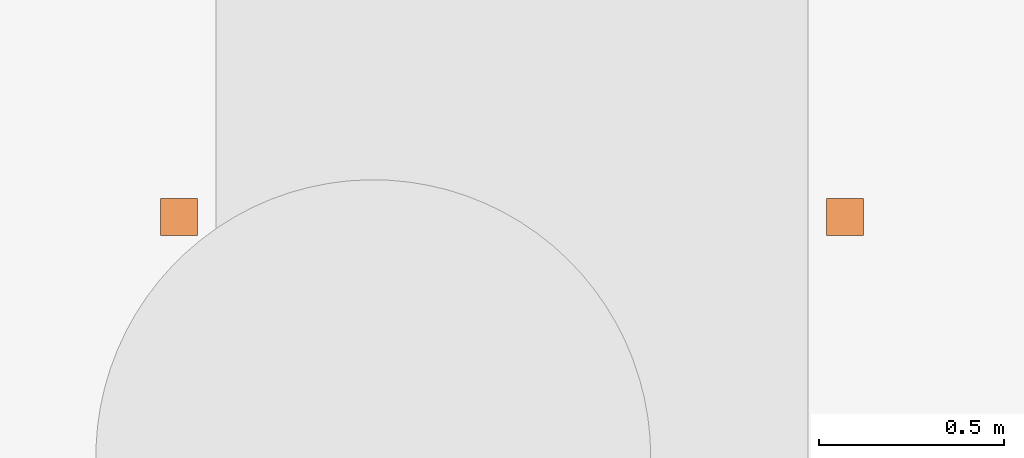
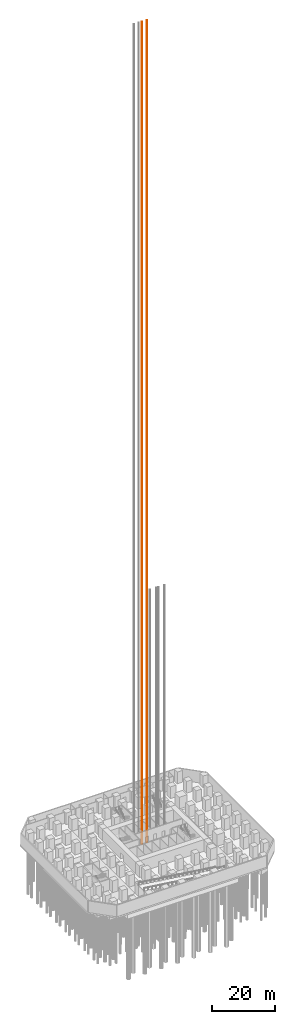
# One storey, part 10 of 11: 1 proxy.
"""IFC4 building model written with IfcOpenShell, lengths in metres."""

import ifcopenshell
import ifcopenshell.guid

model = None  # the IFC model being written
_history = None  # IfcOwnerHistory: only IFC2X3 demands one
_inside = {}  # id of a spatial element -> (the spatial element, [elements in it])
_under = {}  # id of a project, library or spatial element -> (it, [spatial elements below it])
_declared = {}  # id of a project -> (the project, [libraries it declares])
_typed = {}  # id of a type object -> (the type object, [elements of that type])
_made_of = {}  # id of a material, layer set ... -> (it, [elements and type objects made of it])


def new_model(schema):
    """Start an empty IFC model of exactly this schema.

    Asked for "IFC4X3", IfcOpenShell would pick the latest addendum, in which some entities
    have other attributes; the version numbers below select the first issue.
    IFC2X3 requires an IfcOwnerHistory on every rooted entity: one is made here for all.
    """
    global model, _history
    if schema == "IFC4X3":
        model = ifcopenshell.file(schema_version=(4, 3, 0, 0))
    else:
        model = ifcopenshell.file(schema=schema)
    _inside.clear()
    _under.clear()
    _declared.clear()
    _typed.clear()
    _made_of.clear()
    _history = None
    if model.schema == "IFC2X3":
        org = make("IfcOrganization", Name="unknown")
        user = make(
            "IfcPersonAndOrganization",
            ThePerson=make("IfcPerson", FamilyName="unknown"),
            TheOrganization=org,
        )
        app = make(
            "IfcApplication",
            ApplicationDeveloper=org,
            Version="unknown",
            ApplicationFullName="unknown",
            ApplicationIdentifier="unknown",
        )
        _history = make(
            "IfcOwnerHistory",
            OwningUser=user,
            OwningApplication=app,
            ChangeAction="ADDED",
            CreationDate=0,
        )
    return model


def make(cls, **values):
    """One entity of the class cls with the attributes given. An attribute that is None is left unset."""
    return model.create_entity(
        cls, **{name: value for name, value in values.items() if value is not None}
    )


def rooted(cls, **values):
    """An entity with a GlobalId (a new one), such as an element, a storey or a relation."""
    return make(cls, GlobalId=ifcopenshell.guid.new(), OwnerHistory=_history, **values)


def si_unit(unit_type, name, prefix=None):
    """IfcSIUnit, for example si_unit("LENGTHUNIT", "METRE", prefix="MILLI")."""
    return make("IfcSIUnit", UnitType=unit_type, Prefix=prefix, Name=name)


def assignment(units):
    """IfcUnitAssignment: the units of a project."""
    return None if units is None else make("IfcUnitAssignment", Units=units)


def point(xyz):
    """IfcCartesianPoint."""
    return None if xyz is None else make("IfcCartesianPoint", Coordinates=xyz)


def direction(xyz):
    """IfcDirection."""
    return None if xyz is None else make("IfcDirection", DirectionRatios=xyz)


def frame(location, z_axis=None, x_axis=None):
    """IfcAxis2Placement3D, a coordinate frame: its origin and axes. An axis left out is left unset."""
    return make(
        "IfcAxis2Placement3D",
        Location=point(location),
        Axis=direction(z_axis),
        RefDirection=direction(x_axis),
    )


def frame_2d(location, x_axis=None):
    """IfcAxis2Placement2D, a coordinate frame in the plane: its origin and x axis."""
    return make(
        "IfcAxis2Placement2D", Location=point(location), RefDirection=direction(x_axis)
    )


def origin():
    """The frame at (0, 0, 0) with its axes left unset."""
    return frame((0.0, 0.0, 0.0))


def origin_2d():
    """The frame at (0, 0) in the plane with its x axis left unset."""
    return frame_2d((0.0, 0.0))


def place(relative_to, where):
    """IfcLocalPlacement: puts the frame where relative to a parent placement (None: the world)."""
    return make(
        "IfcLocalPlacement", PlacementRelTo=relative_to, RelativePlacement=where
    )


def context(
    kind, dimensions, precision=None, world=None, true_north=None, identifier=None
):
    """IfcGeometricRepresentationContext, for example the 3D "Model" context."""
    return make(
        "IfcGeometricRepresentationContext",
        ContextIdentifier=identifier,
        ContextType=kind,
        CoordinateSpaceDimension=dimensions,
        Precision=precision,
        WorldCoordinateSystem=world,
        TrueNorth=true_north,
    )


def subcontext(parent, identifier, kind, view, scale=None):
    """IfcGeometricRepresentationSubContext, for example "Body" below "Model"."""
    return make(
        "IfcGeometricRepresentationSubContext",
        ContextIdentifier=identifier,
        ContextType=kind,
        ParentContext=parent,
        TargetScale=scale,
        TargetView=view,
    )


def project(units=None, contexts=None):
    """IfcProject with its units and contexts."""
    return rooted(
        "IfcProject",
        Name="project",
        RepresentationContexts=contexts,
        UnitsInContext=assignment(units),
    )


def spatial(cls, under=None, at=None, **own):
    """A site, building, storey or space (cls), placed at a placement, below another one or the project."""
    s = rooted(cls, ObjectPlacement=at, **own)
    if under is not None:
        _under.setdefault(under.id(), (under, []))[1].append(s)
    return s


def profile(cls, at=None, kind="AREA", **sizes):
    """A parametric profile (cls). Its sizes go by their IFC names, for example OverallWidth=200.0."""
    return make(cls, ProfileType=kind, Position=at, **sizes)


def rectangle(**sizes):
    """IfcRectangleProfileDef."""
    return profile("IfcRectangleProfileDef", **sizes)


def extrude(swept, where, along, depth):
    """IfcExtrudedAreaSolid: the profile swept, set in the frame where, extruded along a direction by depth."""
    return make(
        "IfcExtrudedAreaSolid",
        SweptArea=swept,
        Position=where,
        ExtrudedDirection=direction(along),
        Depth=depth,
    )


def shape(context_of_items, identifier, shape_type, items):
    """IfcShapeRepresentation: the items that make up one representation, for example the "Body"."""
    return make(
        "IfcShapeRepresentation",
        ContextOfItems=context_of_items,
        RepresentationIdentifier=identifier,
        RepresentationType=shape_type,
        Items=items,
    )


def material(Name=None, Category=None):
    """IfcMaterial."""
    return make("IfcMaterial", Name=Name, Category=Category)


def made_of(thing, what):
    """Note that an element or type object is made of a material, layer set ...; save() writes the relation."""
    if what is not None:
        _made_of.setdefault(what.id(), (what, []))[1].append(thing)
    return thing


def type_object(cls, material=None, **own):
    """A type object (cls), such as IfcWallType, which elements share."""
    return made_of(rooted(cls, **own), material)


def element(
    cls,
    number,
    at=None,
    inside=None,
    cuts=None,
    type_object=None,
    material=None,
    context=None,
    identifier="Body",
    shape_type=None,
    held_by="IfcProductDefinitionShape",
    body=None,
    shapes=None,
    **own,
):
    """One element of the class cls, such as IfcWall. Its Tag is "e" and its number.

    at: its placement. inside: the storey or other place that contains it. cuts: it is an
    opening in that element (IfcRelVoidsElement). A single representation is given by context,
    identifier, shape_type and body (its items); several are given by shapes. held_by: the class
    of the entity that holds the representations. save() writes the other relations.
    """
    e = rooted(cls, Tag="e%d" % number, ObjectPlacement=at, **own)
    if body is not None:
        shapes = [shape(context, identifier, shape_type, body)]
    if shapes is not None:
        e.Representation = make(held_by, Representations=shapes)
    if inside is not None:
        _inside.setdefault(inside.id(), (inside, []))[1].append(e)
    if cuts is not None:
        rooted(
            "IfcRelVoidsElement", RelatingBuildingElement=cuts, RelatedOpeningElement=e
        )
    if type_object is not None:
        _typed.setdefault(type_object.id(), (type_object, []))[1].append(e)
    return made_of(e, material)


def aggregate(whole, parts):
    """IfcRelAggregates: a whole, such as a stair, and the parts it consists of."""
    return rooted("IfcRelAggregates", RelatingObject=whole, RelatedObjects=parts)


def save(model, path):
    """Write the relations noted so far, then the file.

    IfcRelAggregates (storeys below a building ...), IfcRelContainedInSpatialStructure (elements
    in a storey), IfcRelDefinesByType, IfcRelAssociatesMaterial and IfcRelDeclares: one each for
    every whole, place, type object, material and project.
    """
    for whole, parts in _under.values():
        aggregate(whole, parts)
    for where, things in _inside.values():
        rooted(
            "IfcRelContainedInSpatialStructure",
            RelatedElements=things,
            RelatingStructure=where,
        )
    for kind, things in _typed.values():
        rooted("IfcRelDefinesByType", RelatedObjects=things, RelatingType=kind)
    for what, things in _made_of.values():
        rooted("IfcRelAssociatesMaterial", RelatedObjects=things, RelatingMaterial=what)
    for by, libraries in _declared.values():
        rooted("IfcRelDeclares", RelatingContext=by, RelatedDefinitions=libraries)
    model.write(path)


model = new_model("IFC4")

# Units and contexts
model_context = context("Model", 3, precision=1e-05, world=origin(), true_north=direction((0.0, 1.0)))
body_context = subcontext(model_context, "Body", "Model", "MODEL_VIEW")
ifc_project = project(units=[si_unit("LENGTHUNIT", "METRE"), si_unit("AREAUNIT", "SQUARE_METRE"), si_unit("VOLUMEUNIT", "CUBIC_METRE"), si_unit("PLANEANGLEUNIT", "RADIAN"), si_unit("MASSUNIT", "GRAM", prefix="KILO")], contexts=[model_context])

# Site, building, storey
site_placement = place(None, origin())
site = spatial("IfcSite", under=ifc_project, at=site_placement, CompositionType="ELEMENT")
building_placement = place(site_placement, origin())
building = spatial("IfcBuilding", under=site, at=building_placement, Name="Highveld Stack Headquarters", CompositionType="ELEMENT")
storey_placement = place(building_placement, frame((0.0, 0.0, -9.0)))
storey = spatial("IfcBuildingStorey", under=building, at=storey_placement, Name="B2", CompositionType="ELEMENT", Elevation=-9.0)

# Proxy
ifc_material = material(Name="Galvanised steel guide rails", Category="steel")
building_element_proxy_type = type_object("IfcBuildingElementProxyType", Name="LIFT GUIDE RAIL FRAME", PredefinedType="USERDEFINED", material=ifc_material)
proxy_placement = place(storey_placement, frame((3.60009765625, 7.39990234375, -1.199951171875), z_axis=(0.0, 0.0, 1.0), x_axis=(1.0, 0.0, 0.0)))
element("IfcBuildingElementProxy", 1, at=proxy_placement, inside=storey, type_object=building_element_proxy_type, Name="Guide rails FF2", ObjectType="LIFT GUIDE RAILS", PredefinedType="USERDEFINED", context=body_context, shape_type="SweptSolid", body=[
    extrude(rectangle(XDim=0.10009765625, YDim=0.10009765625, at=origin_2d()), origin(), (0.0, 0.0, 1.0), 318.89990234375),
    extrude(rectangle(XDim=0.10009765625, YDim=0.10009765625, at=origin_2d()), frame((1.7998046875, 0.0, 0.0)), (0.0, 0.0, 1.0), 318.89990234375),
])

save(model, "model.ifc")
